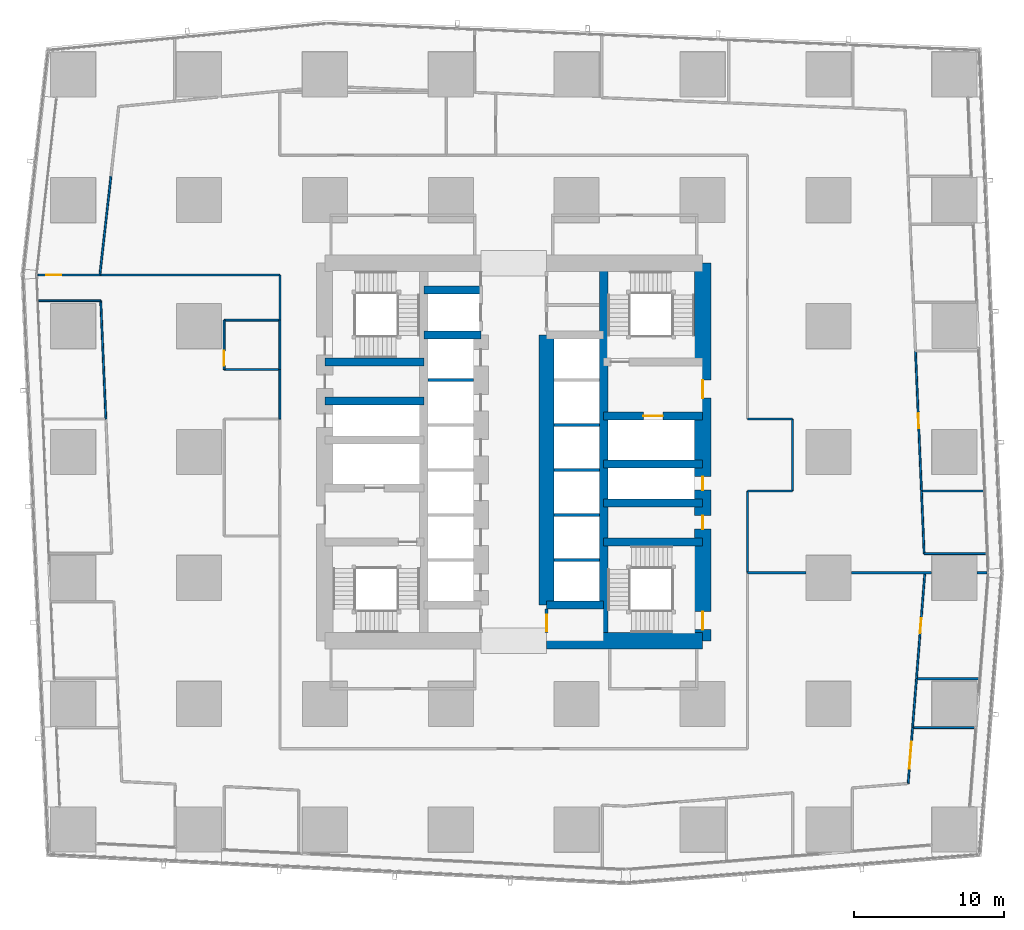
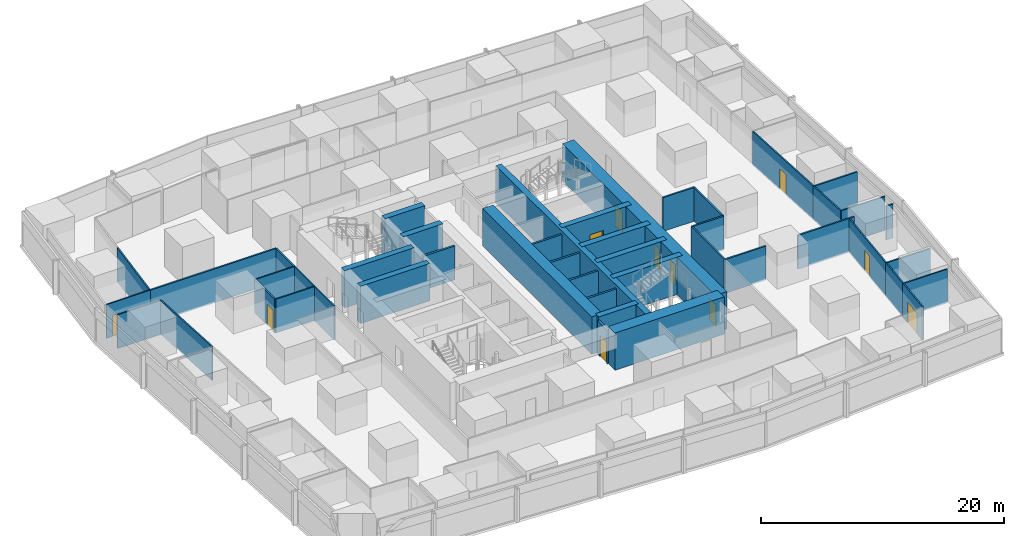
# One storey, part 33 of 44: 46 walls, 11 doors, 11 openings.
"""IFC4 building model written with IfcOpenShell, lengths in metres."""

from ifc_helpers import new_model, si_unit, direction, frame, frame_2d, origin, place, context, subcontext, project, spatial, rectangle, extrude, material, layer, layer_set, type_object, element, fill, save


model = new_model("IFC4")

# Units and contexts
model_context = context("Model", 3, precision=1e-05, world=origin(), true_north=direction((0.0, 1.0)))
body_context = subcontext(model_context, "Body", "Model", "MODEL_VIEW")
ifc_project = project(units=[si_unit("LENGTHUNIT", "METRE"), si_unit("AREAUNIT", "SQUARE_METRE"), si_unit("VOLUMEUNIT", "CUBIC_METRE"), si_unit("PLANEANGLEUNIT", "RADIAN"), si_unit("MASSUNIT", "GRAM", prefix="KILO")], contexts=[model_context])

# Site, building, storey
site_placement = place(None, origin())
site = spatial("IfcSite", under=ifc_project, at=site_placement, CompositionType="ELEMENT")
building_placement = place(site_placement, origin())
building = spatial("IfcBuilding", under=site, at=building_placement, Name="Rekha Terrace Tower", CompositionType="ELEMENT")
storey_placement = place(building_placement, frame((0.0, 0.0, 81.64990234375)))
storey = spatial("IfcBuildingStorey", under=building, at=storey_placement, Name="L20", CompositionType="ELEMENT", Elevation=81.64990234375)

# Walls
ifc_material_1 = material(Name="Concrete M70", Category="concrete")
ifc_layer_1 = layer(ifc_material_1, 0.550048828125)
ifc_layer_set_1 = layer_set([ifc_layer_1], Name="Concrete M70")
wall_type_1 = type_object("IfcWallType", Name="CI1 550 core internal shear wall", PredefinedType="SHEAR", material=ifc_layer_set_1)
wall_1_placement = place(storey_placement, frame((43.800048828125, 21.0, 0.0), z_axis=(0.0, 0.0, 1.0), x_axis=(0.0, 1.0, 0.0)))
element("IfcWall", 1, at=wall_1_placement, inside=storey, type_object=wall_type_1, Name="Core wall X438 L20", PredefinedType="SHEAR", context=body_context, shape_type="SweptSolid", body=[
    extrude(rectangle(XDim=25.199951171875, YDim=0.550048828125, at=frame_2d((12.60009765625, 0.0))), origin(), (0.0, 0.0, 1.0), 3.75),
])
for number, where, z_axis, x_axis, name in (
    (2, (31.800048828125, 41.39990234375, 0.0), (0.0, 0.0, 1.0), (1.0, 0.0, 0.0), "Core wall Y414W L20"),
    (3, (31.800048828125, 44.39990234375, 0.0), (0.0, 0.0, 1.0), (1.0, 0.0, 0.0), "Core wall Y444W L20"),
    (4, (40.0, 23.39990234375, 0.0), (0.0, 0.0, 1.0), (1.0, 0.0, 0.0), "Core wall Y234E L20"),
):
    element("IfcWall", number, at=place(storey_placement, frame(where, z_axis=z_axis, x_axis=x_axis)), inside=storey, type_object=wall_type_1, Name=name, PredefinedType="SHEAR", context=body_context, shape_type="SweptSolid", body=[
        extrude(rectangle(XDim=3.800048828125, YDim=0.550048828125, at=frame_2d((1.89990234375, 0.0))), origin(), (0.0, 0.0, 1.0), 3.75),
    ])
for number, where, z_axis, x_axis, name in (
    (5, (25.199951171875, 37.0, 0.0), (0.0, 0.0, 1.0), (1.0, 0.0, 0.0), "Core wall Y370W L20"),
    (6, (25.199951171875, 39.60009765625, 0.0), (0.0, 0.0, 1.0), (1.0, 0.0, 0.0), "Core wall Y396W L20"),
):
    element("IfcWall", number, at=place(storey_placement, frame(where, z_axis=z_axis, x_axis=x_axis)), inside=storey, type_object=wall_type_1, Name=name, PredefinedType="SHEAR", context=body_context, shape_type="SweptSolid", body=[
        extrude(rectangle(XDim=6.60009765625, YDim=0.550048828125, at=frame_2d((3.300048828125, 0.0))), origin(), (0.0, 0.0, 1.0), 3.75),
    ])
for number, where, z_axis, x_axis, name in (
    (7, (43.800048828125, 27.60009765625, 0.0), (0.0, 0.0, 1.0), (1.0, 0.0, 0.0), "Core wall Y276E L20"),
    (8, (43.800048828125, 30.199951171875, 0.0), (0.0, 0.0, 1.0), (1.0, 0.0, 0.0), "Core wall Y302E L20"),
    (9, (43.800048828125, 32.800048828125, 0.0), (0.0, 0.0, 1.0), (1.0, 0.0, 0.0), "Core wall Y328E L20"),
):
    element("IfcWall", number, at=place(storey_placement, frame(where, z_axis=z_axis, x_axis=x_axis)), inside=storey, type_object=wall_type_1, Name=name, PredefinedType="SHEAR", context=body_context, shape_type="SweptSolid", body=[
        extrude(rectangle(XDim=6.599853515625, YDim=0.550048828125, at=frame_2d((3.2998046875, 0.0))), origin(), (0.0, 0.0, 1.0), 3.75),
    ])

# Wall, opening, door
wall_2_placement = place(storey_placement, frame((43.800048828125, 36.0, 0.0), z_axis=(0.0, 0.0, 1.0), x_axis=(1.0, 0.0, 0.0)))
wall_2 = element("IfcWall", 10, at=wall_2_placement, inside=storey, type_object=wall_type_1, Name="Core wall Y360E L20", PredefinedType="SHEAR", context=body_context, shape_type="SweptSolid", body=[
    extrude(rectangle(XDim=6.599853515625, YDim=0.550048828125, at=frame_2d((3.2998046875, 0.0))), origin(), (0.0, 0.0, 1.0), 3.75),
])
opening_1_placement = place(wall_2_placement, frame((2.64990234375, 0.0, 0.0)))
opening_1 = element("IfcOpeningElement", 11, at=opening_1_placement, cuts=wall_2, Name="Opening LD2", PredefinedType="OPENING", context=body_context, shape_type="SweptSolid", body=[
    extrude(rectangle(XDim=1.300048828125, YDim=2.10009765625, at=frame_2d((0.64990234375, 1.050048828125))), frame((0.0, 0.284912109375, 0.0), z_axis=(0.0, -1.0, 0.0), x_axis=(1.0, 0.0, 0.0)), (0.0, 0.0, 1.0), 0.570068359375),
])
ifc_material_2 = material(Name="Stainless steel sliding landing door", Category="steel")
door_type_1 = type_object("IfcDoorType", Name="LD2 1300x2100 fire lift landing door", OperationType="SLIDING_TO_LEFT", PredefinedType="USERDEFINED", material=ifc_material_2)
door_1_placement = place(opening_1_placement, origin())
door_1 = element("IfcDoor", 12, at=door_1_placement, inside=storey, type_object=door_type_1, Name="Lift FL2 landing door L20", ObjectType="LIFT LANDING DOOR", OperationType="SLIDING_TO_LEFT", OverallHeight=2.10009765625, OverallWidth=1.300048828125, PredefinedType="USERDEFINED", context=body_context, shape_type="SweptSolid", body=[
    extrude(rectangle(XDim=1.300048828125, YDim=2.10009765625, at=frame_2d((0.64990234375, 1.050048828125))), frame((0.0, 0.02490234375, 0.0), z_axis=(0.0, -1.0, 0.0), x_axis=(1.0, 0.0, 0.0)), (0.0, 0.0, 1.0), 0.050048828125),
])
fill(opening_1, door_1)

# Walls
ifc_layer_2 = layer(ifc_material_1, 1.0)
ifc_layer_set_2 = layer_set([ifc_layer_2], Name="Concrete M70")
wall_type_2 = type_object("IfcWallType", Name="LW1 1000 core lobby wall at an outrigger level", PredefinedType="SHEAR", material=ifc_layer_set_2)
wall_3_placement = place(storey_placement, frame((40.0, 23.39990234375, 0.0), z_axis=(0.0, 0.0, 1.0), x_axis=(0.0, 1.0, 0.0)))
element("IfcWall", 13, at=wall_3_placement, inside=storey, type_object=wall_type_2, Name="Core wall X400 L20", PredefinedType="SHEAR", context=body_context, shape_type="SweptSolid", body=[
    extrude(rectangle(XDim=18.0, YDim=1.0, at=frame_2d((9.0, 0.0))), origin(), (0.0, 0.0, 1.0), 3.75),
])
ifc_layer_3 = layer(ifc_material_1, 1.10009765625)
ifc_layer_set_3 = layer_set([ifc_layer_3], Name="Concrete M70")
wall_type_3 = type_object("IfcWallType", Name="SW1 1100 core outer shear wall", PredefinedType="SHEAR", material=ifc_layer_set_3)
wall_4_placement = place(storey_placement, frame((40.0, 21.0, 0.0), z_axis=(0.0, 0.0, 1.0), x_axis=(1.0, 0.0, 0.0)))
element("IfcWall", 14, at=wall_4_placement, inside=storey, type_object=wall_type_3, Name="Core wall S2 L20", PredefinedType="SHEAR", context=body_context, shape_type="SweptSolid", body=[
    extrude(rectangle(XDim=10.39990234375, YDim=1.10009765625, at=frame_2d((5.199951171875, 0.0))), origin(), (0.0, 0.0, 1.0), 3.75),
])

# Wall, openings, doors
wall_5_placement = place(storey_placement, frame((50.39990234375, 21.0, 0.0), z_axis=(0.0, 0.0, 1.0), x_axis=(0.0, 1.0, 0.0)))
wall_5 = element("IfcWall", 15, at=wall_5_placement, inside=storey, type_object=wall_type_3, Name="Core wall E L20", PredefinedType="SHEAR", context=body_context, shape_type="SweptSolid", body=[
    extrude(rectangle(XDim=25.199951171875, YDim=1.10009765625, at=frame_2d((12.60009765625, 0.0))), origin(), (0.0, 0.0, 1.0), 3.75),
])
opening_2_placement = place(wall_5_placement, frame((16.199951171875, 0.0, 0.0)))
opening_2 = element("IfcOpeningElement", 16, at=opening_2_placement, cuts=wall_5, Name="Opening D2", PredefinedType="OPENING", context=body_context, shape_type="SweptSolid", body=[
    extrude(rectangle(XDim=1.199951171875, YDim=2.10009765625, at=frame_2d((0.60009765625, 1.050048828125))), frame((0.0, 0.56005859375, 0.0), z_axis=(0.0, -1.0, 0.0), x_axis=(1.0, 0.0, 0.0)), (0.0, 0.0, 1.0), 1.1201171875),
])
opening_3_placement = place(wall_5_placement, frame((10.050048828125, 0.0, 0.0)))
opening_3 = element("IfcOpeningElement", 17, at=opening_3_placement, cuts=wall_5, Name="Opening D5", PredefinedType="OPENING", context=body_context, shape_type="SweptSolid", body=[
    extrude(rectangle(XDim=0.89990234375, YDim=2.10009765625, at=frame_2d((0.449951171875, 1.050048828125))), frame((0.0, 0.56005859375, 0.0), z_axis=(0.0, -1.0, 0.0), x_axis=(1.0, 0.0, 0.0)), (0.0, 0.0, 1.0), 1.1201171875),
])
opening_4_placement = place(wall_5_placement, frame((7.449951171875, 0.0, 0.0)))
opening_4 = element("IfcOpeningElement", 18, at=opening_4_placement, cuts=wall_5, Name="Opening D5", PredefinedType="OPENING", context=body_context, shape_type="SweptSolid", body=[
    extrude(rectangle(XDim=0.89990234375, YDim=2.10009765625, at=frame_2d((0.449951171875, 1.050048828125))), frame((0.0, 0.56005859375, 0.0), z_axis=(0.0, -1.0, 0.0), x_axis=(1.0, 0.0, 0.0)), (0.0, 0.0, 1.0), 1.1201171875),
])
opening_5_placement = place(wall_5_placement, frame((0.75, 0.0, 0.0)))
opening_5 = element("IfcOpeningElement", 19, at=opening_5_placement, cuts=wall_5, Name="Opening D1", PredefinedType="OPENING", context=body_context, shape_type="SweptSolid", body=[
    extrude(rectangle(XDim=1.199951171875, YDim=2.10009765625, at=frame_2d((0.60009765625, 1.050048828125))), frame((0.0, 0.56005859375, 0.0), z_axis=(0.0, -1.0, 0.0), x_axis=(1.0, 0.0, 0.0)), (0.0, 0.0, 1.0), 1.1201171875),
])
ifc_material_3 = material(Name="Steel fire door", Category="steel")
door_type_2 = type_object("IfcDoorType", Name="D1 1200x2100 stair fire door", OperationType="SINGLE_SWING_RIGHT", PredefinedType="DOOR", material=ifc_material_3)
door_2_placement = place(opening_5_placement, origin())
door_2 = element("IfcDoor", 20, at=door_2_placement, inside=storey, type_object=door_type_2, Name="Stair ST3 door L20", OperationType="SINGLE_SWING_RIGHT", OverallHeight=2.10009765625, OverallWidth=1.199951171875, PredefinedType="DOOR", context=body_context, shape_type="SweptSolid", body=[
    extrude(rectangle(XDim=1.199951171875, YDim=2.10009765625, at=frame_2d((0.60009765625, 1.050048828125))), frame((0.0, 0.02490234375, 0.0), z_axis=(0.0, -1.0, 0.0), x_axis=(1.0, 0.0, 0.0)), (0.0, 0.0, 1.0), 0.050048828125),
])
fill(opening_5, door_2)
door_type_3 = type_object("IfcDoorType", Name="D2 1200x2100 firefighting lobby door", OperationType="SINGLE_SWING_LEFT", PredefinedType="DOOR", material=ifc_material_3)
door_3_placement = place(opening_2_placement, origin())
door_3 = element("IfcDoor", 21, at=door_3_placement, inside=storey, type_object=door_type_3, Name="Door flb2 L20", OperationType="SINGLE_SWING_LEFT", OverallHeight=2.10009765625, OverallWidth=1.199951171875, PredefinedType="DOOR", context=body_context, shape_type="SweptSolid", body=[
    extrude(rectangle(XDim=1.199951171875, YDim=2.10009765625, at=frame_2d((0.60009765625, 1.050048828125))), frame((0.0, 0.02490234375, 0.0), z_axis=(0.0, -1.0, 0.0), x_axis=(1.0, 0.0, 0.0)), (0.0, 0.0, 1.0), 0.050048828125),
])
fill(opening_2, door_3)
door_type_4 = type_object("IfcDoorType", Name="D5 900x2100 riser access door", OperationType="SINGLE_SWING_LEFT", PredefinedType="DOOR", material=ifc_material_3)
door_4_placement = place(opening_3_placement, origin())
door_4 = element("IfcDoor", 22, at=door_4_placement, inside=storey, type_object=door_type_4, Name="Door rs2 L20", OperationType="SINGLE_SWING_LEFT", OverallHeight=2.10009765625, OverallWidth=0.89990234375, PredefinedType="DOOR", context=body_context, shape_type="SweptSolid", body=[
    extrude(rectangle(XDim=0.89990234375, YDim=2.10009765625, at=frame_2d((0.449951171875, 1.050048828125))), frame((0.0, 0.02490234375, 0.0), z_axis=(0.0, -1.0, 0.0), x_axis=(1.0, 0.0, 0.0)), (0.0, 0.0, 1.0), 0.050048828125),
])
fill(opening_3, door_4)
door_5_placement = place(opening_4_placement, origin())
door_5 = element("IfcDoor", 23, at=door_5_placement, inside=storey, type_object=door_type_4, Name="Door ele L20", OperationType="SINGLE_SWING_LEFT", OverallHeight=2.10009765625, OverallWidth=0.89990234375, PredefinedType="DOOR", context=body_context, shape_type="SweptSolid", body=[
    extrude(rectangle(XDim=0.89990234375, YDim=2.10009765625, at=frame_2d((0.449951171875, 1.050048828125))), frame((0.0, 0.02490234375, 0.0), z_axis=(0.0, -1.0, 0.0), x_axis=(1.0, 0.0, 0.0)), (0.0, 0.0, 1.0), 0.050048828125),
])
fill(opening_4, door_5)

# Walls
ifc_material_4 = material(Name="Concrete block masonry, 1 hour", Category="masonry")
ifc_layer_4 = layer(ifc_material_4, 0.14990234375)
ifc_layer_set_4 = layer_set([ifc_layer_4], Name="Concrete block masonry, 1 hour")
wall_type_4 = type_object("IfcWallType", Name="WP2 150 tenancy partition", PredefinedType="PARTITIONING", material=ifc_layer_set_4)
wall_6_placement = place(storey_placement, frame((65.06298828125, 31.001953125, 0.0), z_axis=(0.0, 0.0, 1.0), x_axis=(1.0, 0.0, 0.0)))
element("IfcWall", 24, at=wall_6_placement, inside=storey, type_object=wall_type_4, Name="Partition L20-O1", PredefinedType="PARTITIONING", context=body_context, shape_type="SweptSolid", body=[
    extrude(rectangle(XDim=4.06103515625, YDim=0.14990234375, at=frame_2d((2.030517578125, 0.0))), origin(), (0.0, 0.0, 1.0), 3.400146484375),
])
wall_7_placement = place(storey_placement, frame((69.35693359375, 25.552001953125, 0.0), z_axis=(0.0, 0.0, 1.0), x_axis=(-1.0, 0.0, 0.0)))
element("IfcWall", 25, at=wall_7_placement, inside=storey, type_object=wall_type_4, Name="Partition L20-O1", PredefinedType="PARTITIONING", context=body_context, shape_type="SweptSolid", body=[
    extrude(rectangle(XDim=0.636962890625, YDim=0.14990234375, at=frame_2d((0.318359375, 0.0))), origin(), (0.0, 0.0, 1.0), 3.400146484375),
])
wall_8_placement = place(storey_placement, frame((65.679931640625, 25.552001953125, 0.0), z_axis=(0.0, 0.0, 1.0), x_axis=(-1.0, 0.0, 0.0)))
element("IfcWall", 26, at=wall_8_placement, inside=storey, type_object=wall_type_4, Name="Partition L20-O1", PredefinedType="PARTITIONING", context=body_context, shape_type="SweptSolid", body=[
    extrude(rectangle(XDim=5.35986328125, YDim=0.14990234375, at=frame_2d((2.679931640625, 0.0))), origin(), (0.0, 0.0, 1.0), 3.400146484375),
])
wall_9_placement = place(storey_placement, frame((57.280029296875, 25.552001953125, 0.0), z_axis=(0.0, 0.0, 1.0), x_axis=(-1.0, 0.0, 0.0)))
element("IfcWall", 27, at=wall_9_placement, inside=storey, type_object=wall_type_4, Name="Partition L20-O1", PredefinedType="PARTITIONING", context=body_context, shape_type="SweptSolid", body=[
    extrude(rectangle(XDim=3.880126953125, YDim=0.14990234375, at=frame_2d((1.93994140625, 0.0))), origin(), (0.0, 0.0, 1.0), 3.400146484375),
])
wall_10_placement = place(storey_placement, frame((53.39990234375, 25.552001953125, 0.0), z_axis=(0.0, 0.0, 1.0), x_axis=(0.0, 1.0, 0.0)))
element("IfcWall", 28, at=wall_10_placement, inside=storey, type_object=wall_type_4, Name="Partition L20-O1", PredefinedType="PARTITIONING", context=body_context, shape_type="SweptSolid", body=[
    extrude(rectangle(XDim=5.447998046875, YDim=0.14990234375, at=frame_2d((2.72412109375, 0.0))), origin(), (0.0, 0.0, 1.0), 3.400146484375),
])
wall_11_placement = place(storey_placement, frame((53.39990234375, 31.0, 0.0), z_axis=(0.0, 0.0, 1.0), x_axis=(1.0, 0.0, 0.0)))
element("IfcWall", 29, at=wall_11_placement, inside=storey, type_object=wall_type_4, Name="Partition L20-O1", PredefinedType="PARTITIONING", context=body_context, shape_type="SweptSolid", body=[
    extrude(rectangle(XDim=3.0, YDim=0.14990234375, at=frame_2d((1.5, 0.0))), origin(), (0.0, 0.0, 1.0), 3.400146484375),
])
wall_12_placement = place(storey_placement, frame((56.39990234375, 31.0, 0.0), z_axis=(0.0, 0.0, 1.0), x_axis=(0.0, 1.0, 0.0)))
element("IfcWall", 30, at=wall_12_placement, inside=storey, type_object=wall_type_4, Name="Partition L20-O1", PredefinedType="PARTITIONING", context=body_context, shape_type="SweptSolid", body=[
    extrude(rectangle(XDim=4.800048828125, YDim=0.14990234375, at=frame_2d((2.39990234375, 0.0))), origin(), (0.0, 0.0, 1.0), 3.400146484375),
])
wall_13_placement = place(storey_placement, frame((56.39990234375, 35.800048828125, 0.0), z_axis=(0.0, 0.0, 1.0), x_axis=(-1.0, 0.0, 0.0)))
element("IfcWall", 31, at=wall_13_placement, inside=storey, type_object=wall_type_4, Name="Partition L20-O1", PredefinedType="PARTITIONING", context=body_context, shape_type="SweptSolid", body=[
    extrude(rectangle(XDim=3.0, YDim=0.14990234375, at=frame_2d((1.5, 0.0))), origin(), (0.0, 0.0, 1.0), 3.400146484375),
])
wall_14_placement = place(storey_placement, frame((10.18603515625, 45.410888671875, 0.0), z_axis=(0.0, 0.0, 1.0), x_axis=(1.0, 0.0, 0.0)))
element("IfcWall", 32, at=wall_14_placement, inside=storey, type_object=wall_type_4, Name="Partition L20-O2", PredefinedType="PARTITIONING", context=body_context, shape_type="SweptSolid", body=[
    extrude(rectangle(XDim=12.013916015625, YDim=0.14990234375, at=frame_2d((6.0068359375, 0.0))), origin(), (0.0, 0.0, 1.0), 3.400146484375),
])
wall_15_placement = place(storey_placement, frame((22.199951171875, 45.410888671875, 0.0), z_axis=(0.0, 0.0, 1.0), x_axis=(0.0, -1.0, 0.0)))
element("IfcWall", 33, at=wall_15_placement, inside=storey, type_object=wall_type_4, Name="Partition L20-O2", PredefinedType="PARTITIONING", context=body_context, shape_type="SweptSolid", body=[
    extrude(rectangle(XDim=3.010986328125, YDim=0.14990234375, at=frame_2d((1.50537109375, 0.0))), origin(), (0.0, 0.0, 1.0), 3.400146484375),
])
wall_16_placement = place(storey_placement, frame((64.72900390625, 18.47705078125, 0.0), z_axis=(0.0, 0.0, 1.0), x_axis=(1.0, 0.0, 0.0)))
element("IfcWall", 34, at=wall_16_placement, inside=storey, type_object=wall_type_4, Name="Partition L20-O2", PredefinedType="PARTITIONING", context=body_context, shape_type="SweptSolid", body=[
    extrude(rectangle(XDim=4.10009765625, YDim=0.14990234375, at=frame_2d((2.050048828125, 0.0))), origin(), (0.0, 0.0, 1.0), 3.400146484375),
])
ifc_material_5 = material(Name="Two layers of fire-rated gypsum board each side on steel studs, acoustic quilt, 1 hour", Category="steel")
ifc_layer_5 = layer(ifc_material_5, 0.125)
ifc_layer_set_5 = layer_set([ifc_layer_5], Name="Two layers of fire-rated gypsum board each side on steel studs, acoustic quilt, 1 hour")
wall_type_5 = type_object("IfcWallType", Name="WP3 125 office partition", PredefinedType="PARTITIONING", material=ifc_layer_set_5)
wall_17_placement = place(storey_placement, frame((69.3330078125, 26.821044921875, 0.0), z_axis=(0.0, 0.0, 1.0), x_axis=(-1.0, 0.0, 0.0)))
element("IfcWall", 35, at=wall_17_placement, inside=storey, type_object=wall_type_5, Name="Partition L20-02", PredefinedType="PARTITIONING", context=body_context, shape_type="SweptSolid", body=[
    extrude(rectangle(XDim=4.154052734375, YDim=0.125, at=frame_2d((2.0771484375, 0.0))), origin(), (0.0, 0.0, 1.0), 3.400146484375),
])
wall_18_placement = place(storey_placement, frame((65.178955078125, 26.821044921875, 0.0), z_axis=(0.0, 0.0, 1.0), x_axis=(-0.042753796075, 0.999085638432, 0.0)))
element("IfcWall", 36, at=wall_18_placement, inside=storey, type_object=wall_type_5, Name="Partition L20-02", PredefinedType="PARTITIONING", context=body_context, shape_type="SweptSolid", body=[
    extrude(rectangle(XDim=4.185791015625, YDim=0.125, at=frame_2d((2.0927734375, 0.0))), origin(), (0.0, 0.0, 1.0), 3.400146484375),
])

# Wall, opening, door
wall_19_placement = place(storey_placement, frame((65.0, 31.0029296875, 0.0), z_axis=(0.0, 0.0, 1.0), x_axis=(-0.042704545751, 0.999087744781, 0.0)))
wall_19 = element("IfcWall", 37, at=wall_19_placement, inside=storey, type_object=wall_type_5, Name="Partition L20-02", PredefinedType="PARTITIONING", context=body_context, shape_type="SweptSolid", body=[
    extrude(rectangle(XDim=9.341552734375, YDim=0.125, at=frame_2d((4.6708984375, 0.0))), origin(), (0.0, 0.0, 1.0), 3.400146484375),
])
opening_6_placement = place(wall_19_placement, frame((4.1708984375, 0.0, 0.0)))
opening_6 = element("IfcOpeningElement", 38, at=opening_6_placement, cuts=wall_19, Name="Opening D9", PredefinedType="OPENING", context=body_context, shape_type="SweptSolid", body=[
    extrude(rectangle(XDim=1.0, YDim=2.10009765625, at=frame_2d((0.5, 1.050048828125))), frame((0.0, 0.072509765625, 0.0), z_axis=(0.0, -1.0, 0.0), x_axis=(1.0, 0.0, 0.0)), (0.0, 0.0, 1.0), 0.14501953125),
])
ifc_material_6 = material(Name="Timber fire door", Category="wood")
door_type_5 = type_object("IfcDoorType", Name="D9 1000x2100 office door", OperationType="SINGLE_SWING_LEFT", PredefinedType="DOOR", material=ifc_material_6)
door_6_placement = place(opening_6_placement, origin())
door_6 = element("IfcDoor", 39, at=door_6_placement, inside=storey, type_object=door_type_5, Name="Door office L20", OperationType="SINGLE_SWING_LEFT", OverallHeight=2.10009765625, OverallWidth=1.0, PredefinedType="DOOR", context=body_context, shape_type="SweptSolid", body=[
    extrude(rectangle(XDim=1.0, YDim=2.10009765625, at=frame_2d((0.5, 1.050048828125))), frame((0.0, 0.02490234375, 0.0), z_axis=(0.0, -1.0, 0.0), x_axis=(1.0, 0.0, 0.0)), (0.0, 0.0, 1.0), 0.050048828125),
])
fill(opening_6, door_6)

# Wall
wall_20_placement = place(storey_placement, frame((10.927978515625, 52.011962890625, 0.0), z_axis=(0.0, 0.0, 1.0), x_axis=(-0.111714457102, -0.993740348418, 0.0)))
element("IfcWall", 40, at=wall_20_placement, inside=storey, type_object=wall_type_5, Name="Partition L20-08", PredefinedType="PARTITIONING", context=body_context, shape_type="SweptSolid", body=[
    extrude(rectangle(XDim=6.641357421875, YDim=0.125, at=frame_2d((3.32080078125, 0.0))), origin(), (0.0, 0.0, 1.0), 3.400146484375),
])

# Wall, opening, door
wall_21_placement = place(storey_placement, frame((10.18603515625, 45.412109375, 0.0), z_axis=(0.0, 0.0, 1.0), x_axis=(-1.0, 0.0, 0.0)))
wall_21 = element("IfcWall", 41, at=wall_21_placement, inside=storey, type_object=wall_type_5, Name="Partition L20-08", PredefinedType="PARTITIONING", context=body_context, shape_type="SweptSolid", body=[
    extrude(rectangle(XDim=4.14208984375, YDim=0.125, at=frame_2d((2.071044921875, 0.0))), origin(), (0.0, 0.0, 1.0), 3.400146484375),
])
opening_7_placement = place(wall_21_placement, frame((2.571044921875, 0.0, 0.0)))
opening_7 = element("IfcOpeningElement", 42, at=opening_7_placement, cuts=wall_21, Name="Opening D9", PredefinedType="OPENING", context=body_context, shape_type="SweptSolid", body=[
    extrude(rectangle(XDim=1.0, YDim=2.10009765625, at=frame_2d((0.5, 1.050048828125))), frame((0.0, 0.072509765625, 0.0), z_axis=(0.0, -1.0, 0.0), x_axis=(1.0, 0.0, 0.0)), (0.0, 0.0, 1.0), 0.14501953125),
])
door_7_placement = place(opening_7_placement, origin())
door_7 = element("IfcDoor", 43, at=door_7_placement, inside=storey, type_object=door_type_5, Name="Door director's office L20", OperationType="SINGLE_SWING_LEFT", OverallHeight=2.10009765625, OverallWidth=1.0, PredefinedType="DOOR", context=body_context, shape_type="SweptSolid", body=[
    extrude(rectangle(XDim=1.0, YDim=2.10009765625, at=frame_2d((0.5, 1.050048828125))), frame((0.0, 0.02490234375, 0.0), z_axis=(0.0, -1.0, 0.0), x_axis=(1.0, 0.0, 0.0)), (0.0, 0.0, 1.0), 0.050048828125),
])
fill(opening_7, door_7)

wall_22_placement = place(storey_placement, frame((64.111083984375, 11.485107421875, 0.0), z_axis=(0.0, 0.0, 1.0), x_axis=(0.079075405568, 0.996868637401, 0.0)))
wall_22 = element("IfcWall", 44, at=wall_22_placement, inside=storey, type_object=wall_type_5, Name="Partition L20-13", PredefinedType="PARTITIONING", context=body_context, shape_type="SweptSolid", body=[
    extrude(rectangle(XDim=3.7666015625, YDim=0.125, at=frame_2d((1.88330078125, 0.0))), origin(), (0.0, 0.0, 1.0), 3.400146484375),
])
opening_8_placement = place(wall_22_placement, frame((0.98291015625, 0.0, 0.0)))
opening_8 = element("IfcOpeningElement", 45, at=opening_8_placement, cuts=wall_22, Name="Opening D8", PredefinedType="OPENING", context=body_context, shape_type="SweptSolid", body=[
    extrude(rectangle(XDim=1.800048828125, YDim=2.10009765625, at=frame_2d((0.89990234375, 1.050048828125))), frame((0.0, 0.072509765625, 0.0), z_axis=(0.0, -1.0, 0.0), x_axis=(1.0, 0.0, 0.0)), (0.0, 0.0, 1.0), 0.14501953125),
])
door_type_6 = type_object("IfcDoorType", Name="D8 1800x2100 double leaf door", OperationType="DOUBLE_DOOR_SINGLE_SWING", PredefinedType="DOOR", material=ifc_material_6)
door_8_placement = place(opening_8_placement, origin())
door_8 = element("IfcDoor", 46, at=door_8_placement, inside=storey, type_object=door_type_6, Name="Door meeting room L20", OperationType="DOUBLE_DOOR_SINGLE_SWING", OverallHeight=2.10009765625, OverallWidth=1.800048828125, PredefinedType="DOOR", context=body_context, shape_type="SweptSolid", body=[
    extrude(rectangle(XDim=1.800048828125, YDim=2.10009765625, at=frame_2d((0.89990234375, 1.050048828125))), frame((0.0, 0.02490234375, 0.0), z_axis=(0.0, -1.0, 0.0), x_axis=(1.0, 0.0, 0.0)), (0.0, 0.0, 1.0), 0.050048828125),
])
fill(opening_8, door_8)

# Walls
wall_23_placement = place(storey_placement, frame((64.468994140625, 15.2080078125, 0.0), z_axis=(0.0, 0.0, 1.0), x_axis=(1.0, 0.0, 0.0)))
element("IfcWall", 47, at=wall_23_placement, inside=storey, type_object=wall_type_5, Name="Partition L20-13", PredefinedType="PARTITIONING", context=body_context, shape_type="SweptSolid", body=[
    extrude(rectangle(XDim=4.071044921875, YDim=0.125, at=frame_2d((2.03564453125, 0.0))), origin(), (0.0, 0.0, 1.0), 3.400146484375),
])
wall_24_placement = place(storey_placement, frame((64.408935546875, 15.240966796875, 0.0), z_axis=(0.0, 0.0, 1.0), x_axis=(0.079215977886, 0.996857476697, 0.0)))
element("IfcWall", 48, at=wall_24_placement, inside=storey, type_object=wall_type_5, Name="Partition L20-14", PredefinedType="PARTITIONING", context=body_context, shape_type="SweptSolid", body=[
    extrude(rectangle(XDim=3.245361328125, YDim=0.125, at=frame_2d((1.62255859375, 0.0))), origin(), (0.0, 0.0, 1.0), 3.400146484375),
])

# Wall, opening, door
wall_25_placement = place(storey_placement, frame((64.666015625, 18.47607421875, 0.0), z_axis=(0.0, 0.0, 1.0), x_axis=(0.079017050166, 0.996873264655, 0.0)))
wall_25 = element("IfcWall", 49, at=wall_25_placement, inside=storey, type_object=wall_type_5, Name="Partition L20-14", PredefinedType="PARTITIONING", context=body_context, shape_type="SweptSolid", body=[
    extrude(rectangle(XDim=7.02294921875, YDim=0.125, at=frame_2d((3.511474609375, 0.0))), origin(), (0.0, 0.0, 1.0), 3.400146484375),
])
opening_9_placement = place(wall_25_placement, frame((3.049072265625, 0.0, 0.0)))
opening_9 = element("IfcOpeningElement", 50, at=opening_9_placement, cuts=wall_25, Name="Opening D9", PredefinedType="OPENING", context=body_context, shape_type="SweptSolid", body=[
    extrude(rectangle(XDim=1.0, YDim=2.10009765625, at=frame_2d((0.5, 1.050048828125))), frame((0.0, 0.072509765625, 0.0), z_axis=(0.0, -1.0, 0.0), x_axis=(1.0, 0.0, 0.0)), (0.0, 0.0, 1.0), 0.14501953125),
])
door_9_placement = place(opening_9_placement, origin())
door_9 = element("IfcDoor", 51, at=door_9_placement, inside=storey, type_object=door_type_5, Name="Door office L20", OperationType="SINGLE_SWING_LEFT", OverallHeight=2.10009765625, OverallWidth=1.0, PredefinedType="DOOR", context=body_context, shape_type="SweptSolid", body=[
    extrude(rectangle(XDim=1.0, YDim=2.10009765625, at=frame_2d((0.5, 1.050048828125))), frame((0.0, 0.02490234375, 0.0), z_axis=(0.0, -1.0, 0.0), x_axis=(1.0, 0.0, 0.0)), (0.0, 0.0, 1.0), 0.050048828125),
])
fill(opening_9, door_9)

# Walls
wall_26_placement = place(storey_placement, frame((10.243896484375, 43.694091796875, 0.0), z_axis=(0.0, 0.0, 1.0), x_axis=(0.043694696319, -0.999044930678, 0.0)))
element("IfcWall", 52, at=wall_26_placement, inside=storey, type_object=wall_type_5, Name="Partition L20-15", PredefinedType="PARTITIONING", context=body_context, shape_type="SweptSolid", body=[
    extrude(rectangle(XDim=7.900634765625, YDim=0.125, at=frame_2d((3.9501953125, 0.0))), origin(), (0.0, 0.0, 1.0), 3.400146484375),
])
wall_27_placement = place(storey_placement, frame((6.089111328125, 43.694091796875, 0.0), z_axis=(0.0, 0.0, 1.0), x_axis=(1.0, 0.0, 0.0)))
element("IfcWall", 53, at=wall_27_placement, inside=storey, type_object=wall_type_5, Name="Partition L20-15", PredefinedType="PARTITIONING", context=body_context, shape_type="SweptSolid", body=[
    extrude(rectangle(XDim=4.15478515625, YDim=0.125, at=frame_2d((2.077392578125, 0.0))), origin(), (0.0, 0.0, 1.0), 3.400146484375),
])
wall_28_placement = place(storey_placement, frame((18.47509765625, 39.10009765625, 0.0), z_axis=(0.0, 0.0, 1.0), x_axis=(1.0, 0.0, 0.0)))
element("IfcWall", 54, at=wall_28_placement, inside=storey, type_object=wall_type_5, Name="Partition L20-21", PredefinedType="PARTITIONING", context=body_context, shape_type="SweptSolid", body=[
    extrude(rectangle(XDim=3.724853515625, YDim=0.125, at=frame_2d((1.8623046875, 0.0))), origin(), (0.0, 0.0, 1.0), 3.400146484375),
])
wall_29_placement = place(storey_placement, frame((22.199951171875, 39.10009765625, 0.0), z_axis=(0.0, 0.0, 1.0), x_axis=(0.0, -1.0, 0.0)))
element("IfcWall", 55, at=wall_29_placement, inside=storey, type_object=wall_type_5, Name="Partition L20-21", PredefinedType="PARTITIONING", context=body_context, shape_type="SweptSolid", body=[
    extrude(rectangle(XDim=3.300048828125, YDim=0.125, at=frame_2d((1.64990234375, 0.0))), origin(), (0.0, 0.0, 1.0), 3.400146484375),
])

# Wall, opening, door
wall_30_placement = place(storey_placement, frame((18.47509765625, 39.10009765625, 0.0), z_axis=(0.0, 0.0, 1.0), x_axis=(0.0, 1.0, 0.0)))
wall_30 = element("IfcWall", 56, at=wall_30_placement, inside=storey, type_object=wall_type_5, Name="Partition L20-22", PredefinedType="PARTITIONING", context=body_context, shape_type="SweptSolid", body=[
    extrude(rectangle(XDim=3.2998046875, YDim=0.125, at=frame_2d((1.64990234375, 0.0))), origin(), (0.0, 0.0, 1.0), 3.400146484375),
])
opening_10_placement = place(wall_30_placement, frame((0.25, 0.0, 0.0)))
opening_10 = element("IfcOpeningElement", 57, at=opening_10_placement, cuts=wall_30, Name="Opening D9", PredefinedType="OPENING", context=body_context, shape_type="SweptSolid", body=[
    extrude(rectangle(XDim=1.0, YDim=2.10009765625, at=frame_2d((0.5, 1.050048828125))), frame((0.0, 0.072509765625, 0.0), z_axis=(0.0, -1.0, 0.0), x_axis=(1.0, 0.0, 0.0)), (0.0, 0.0, 1.0), 0.14501953125),
])
door_10_placement = place(opening_10_placement, origin())
door_10 = element("IfcDoor", 58, at=door_10_placement, inside=storey, type_object=door_type_5, Name="Door storage room L20", OperationType="SINGLE_SWING_LEFT", OverallHeight=2.10009765625, OverallWidth=1.0, PredefinedType="DOOR", context=body_context, shape_type="SweptSolid", body=[
    extrude(rectangle(XDim=1.0, YDim=2.10009765625, at=frame_2d((0.5, 1.050048828125))), frame((0.0, 0.02490234375, 0.0), z_axis=(0.0, -1.0, 0.0), x_axis=(1.0, 0.0, 0.0)), (0.0, 0.0, 1.0), 0.050048828125),
])
fill(opening_10, door_10)

# Walls
wall_31_placement = place(storey_placement, frame((18.47509765625, 42.39990234375, 0.0), z_axis=(0.0, 0.0, 1.0), x_axis=(1.0, 0.0, 0.0)))
element("IfcWall", 59, at=wall_31_placement, inside=storey, type_object=wall_type_5, Name="Partition L20-22", PredefinedType="PARTITIONING", context=body_context, shape_type="SweptSolid", body=[
    extrude(rectangle(XDim=3.724853515625, YDim=0.125, at=frame_2d((1.8623046875, 0.0))), origin(), (0.0, 0.0, 1.0), 3.400146484375),
])
wall_32_placement = place(storey_placement, frame((22.199951171875, 42.39990234375, 0.0), z_axis=(0.0, 0.0, 1.0), x_axis=(0.0, -1.0, 0.0)))
element("IfcWall", 60, at=wall_32_placement, inside=storey, type_object=wall_type_5, Name="Partition L20-22", PredefinedType="PARTITIONING", context=body_context, shape_type="SweptSolid", body=[
    extrude(rectangle(XDim=3.2998046875, YDim=0.125, at=frame_2d((1.64990234375, 0.0))), origin(), (0.0, 0.0, 1.0), 3.400146484375),
])
ifc_material_7 = material(Name="Solid concrete block masonry, 2 hour", Category="masonry")
ifc_layer_6 = layer(ifc_material_7, 0.199951171875)
ifc_layer_set_6 = layer_set([ifc_layer_6], Name="Solid concrete block masonry, 2 hour")
wall_type_6 = type_object("IfcWallType", Name="WS1 200 stair and shaft enclosure", PredefinedType="PARTITIONING", material=ifc_layer_set_6)
wall_33_placement = place(storey_placement, frame((32.074951171875, 38.39990234375, 0.0), z_axis=(0.0, 0.0, 1.0), x_axis=(1.0, 0.0, 0.0)))
element("IfcWall", 61, at=wall_33_placement, inside=storey, type_object=wall_type_6, Name="Lift shaft divider L20", PredefinedType="PARTITIONING", context=body_context, shape_type="SweptSolid", body=[
    extrude(rectangle(XDim=3.025146484375, YDim=0.199951171875, at=frame_2d((1.5126953125, 0.0))), origin(), (0.0, 0.0, 1.0), 3.400146484375),
])
for number, where, z_axis, x_axis, name in (
    (62, (40.5, 26.39990234375, 0.0), (0.0, 0.0, 1.0), (1.0, 0.0, 0.0), "Lift shaft divider L20"),
    (63, (40.5, 29.39990234375, 0.0), (0.0, 0.0, 1.0), (1.0, 0.0, 0.0), "Lift shaft divider L20"),
    (64, (40.5, 32.39990234375, 0.0), (0.0, 0.0, 1.0), (1.0, 0.0, 0.0), "Lift shaft divider L20"),
    (65, (40.5, 35.39990234375, 0.0), (0.0, 0.0, 1.0), (1.0, 0.0, 0.0), "Lift shaft divider L20"),
):
    element("IfcWall", number, at=place(storey_placement, frame(where, z_axis=z_axis, x_axis=x_axis)), inside=storey, type_object=wall_type_6, Name=name, PredefinedType="PARTITIONING", context=body_context, shape_type="SweptSolid", body=[
        extrude(rectangle(XDim=3.02490234375, YDim=0.199951171875, at=frame_2d((1.512451171875, 0.0))), origin(), (0.0, 0.0, 1.0), 3.400146484375),
    ])

# Wall, opening, door
wall_34_placement = place(storey_placement, frame((40.0, 21.550048828125, 0.0), z_axis=(0.0, 0.0, 1.0), x_axis=(0.0, 1.0, 0.0)))
wall_34 = element("IfcWall", 66, at=wall_34_placement, inside=storey, type_object=wall_type_6, Name="Core partition wca L20", PredefinedType="PARTITIONING", context=body_context, shape_type="SweptSolid", body=[
    extrude(rectangle(XDim=1.574951171875, YDim=0.199951171875, at=frame_2d((0.78759765625, 0.0))), origin(), (0.0, 0.0, 1.0), 3.400146484375),
])
opening_11_placement = place(wall_34_placement, frame((0.10009765625, 0.0, 0.0)))
opening_11 = element("IfcOpeningElement", 67, at=opening_11_placement, cuts=wall_34, Name="Opening D4", PredefinedType="OPENING", context=body_context, shape_type="SweptSolid", body=[
    extrude(rectangle(XDim=1.10009765625, YDim=2.10009765625, at=frame_2d((0.550048828125, 1.050048828125))), frame((0.0, 0.10986328125, 0.0), z_axis=(0.0, -1.0, 0.0), x_axis=(1.0, 0.0, 0.0)), (0.0, 0.0, 1.0), 0.219970703125),
])
ifc_material_8 = material(Name="Laminated timber fire door", Category="wood")
door_type_7 = type_object("IfcDoorType", Name="D4 1100x2100 accessible WC door", OperationType="SLIDING_TO_LEFT", PredefinedType="DOOR", material=ifc_material_8)
door_11_placement = place(opening_11_placement, origin())
door_11 = element("IfcDoor", 68, at=door_11_placement, inside=storey, type_object=door_type_7, Name="Door wca L20", OperationType="SLIDING_TO_LEFT", OverallHeight=2.10009765625, OverallWidth=1.10009765625, PredefinedType="DOOR", context=body_context, shape_type="SweptSolid", body=[
    extrude(rectangle(XDim=1.10009765625, YDim=2.10009765625, at=frame_2d((0.550048828125, 1.050048828125))), frame((0.0, 0.02490234375, 0.0), z_axis=(0.0, -1.0, 0.0), x_axis=(1.0, 0.0, 0.0)), (0.0, 0.0, 1.0), 0.050048828125),
])
fill(opening_11, door_11)

save(model, "model.ifc")
